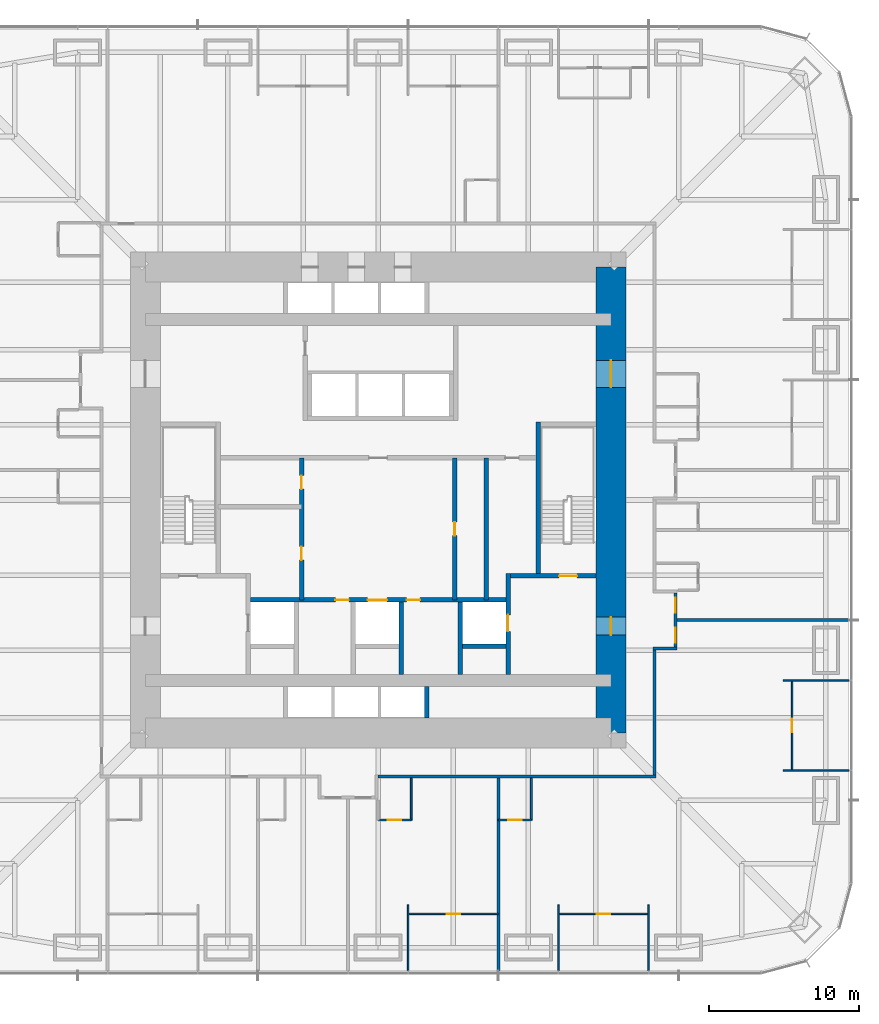
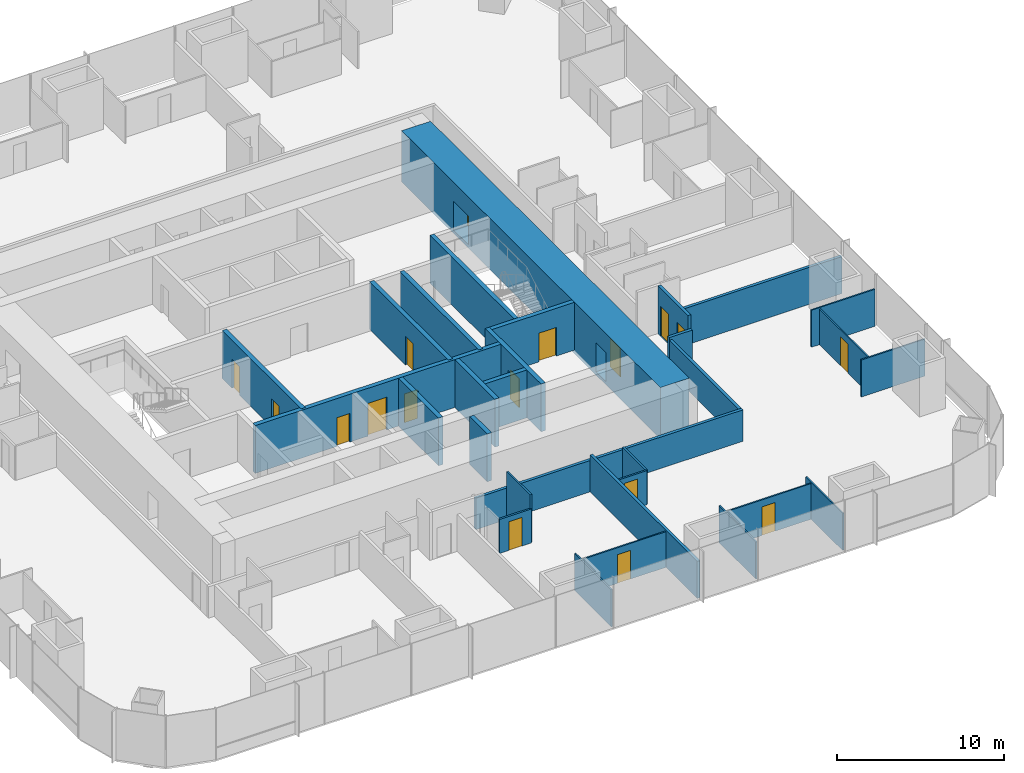
# One storey, part 13 of 17: 30 walls, 17 doors, 17 openings.
"""IFC4 building model written with IfcOpenShell, lengths in metres."""

from ifc_helpers import new_model, si_unit, direction, frame, frame_2d, origin, place, context, subcontext, project, spatial, rectangle, extrude, material, layer, layer_set, type_object, element, fill, save


model = new_model("IFC4")

# Units and contexts
model_context = context("Model", 3, precision=1e-05, world=origin(), true_north=direction((0.0, 1.0)))
body_context = subcontext(model_context, "Body", "Model", "MODEL_VIEW")
ifc_project = project(units=[si_unit("LENGTHUNIT", "METRE"), si_unit("AREAUNIT", "SQUARE_METRE"), si_unit("VOLUMEUNIT", "CUBIC_METRE"), si_unit("PLANEANGLEUNIT", "RADIAN"), si_unit("MASSUNIT", "GRAM", prefix="KILO")], contexts=[model_context])

# Site, building, storey
site_placement = place(None, origin())
site = spatial("IfcSite", under=ifc_project, at=site_placement, CompositionType="ELEMENT")
building_placement = place(site_placement, origin())
building = spatial("IfcBuilding", under=site, at=building_placement, Name="Khuree Lantern Residences", CompositionType="ELEMENT")
storey_placement = place(building_placement, frame((0.0, 0.0, 58.5)))
storey = spatial("IfcBuildingStorey", under=building, at=storey_placement, Name="L14", CompositionType="ELEMENT", Elevation=58.5)

# Wall, opening, door
ifc_material_1 = material(Name="Moisture-resistant gypsum board on steel studs", Category="steel")
ifc_layer_1 = layer(ifc_material_1, 0.125)
ifc_layer_set_1 = layer_set([ifc_layer_1], Name="BATHROOM WALL BTW125")
wall_type_1 = type_object("IfcWallType", Name="BATHROOM WALL BTW125", PredefinedType="PARTITIONING", material=ifc_layer_set_1)
wall_1_placement = place(storey_placement, frame((0.0, -21.300048828125, 0.0), z_axis=(0.0, 0.0, 1.0), x_axis=(1.0, 0.0, 0.0)))
wall_1 = element("IfcWall", 1, at=wall_1_placement, inside=storey, type_object=wall_type_1, Name="L14 BATHROOM WALL 10", PredefinedType="PARTITIONING", context=body_context, shape_type="SweptSolid", body=[
    extrude(rectangle(XDim=2.199951171875, YDim=0.125, at=frame_2d((1.10009765625, 0.0))), origin(), (0.0, 0.0, 1.0), 2.491943359375),
])
opening_1_placement = place(wall_1_placement, frame((0.64990234375, 0.0, 0.0)))
opening_1 = element("IfcOpeningElement", 2, at=opening_1_placement, cuts=wall_1, Name="Opening 14-051", PredefinedType="OPENING", context=body_context, shape_type="SweptSolid", body=[
    extrude(rectangle(XDim=0.89990234375, YDim=2.10009765625, at=frame_2d((0.449951171875, 1.050048828125))), frame((0.0, 0.072509765625, 0.0), z_axis=(0.0, -1.0, 0.0), x_axis=(1.0, 0.0, 0.0)), (0.0, 0.0, 1.0), 0.14501953125),
])
ifc_material_2 = material(Name="Timber door leaf in hardwood frame", Category="wood")
door_type_1 = type_object("IfcDoorType", Name="BATHROOM DOOR 900X2100", OperationType="SINGLE_SWING_LEFT", PredefinedType="DOOR", material=ifc_material_2)
door_1_placement = place(opening_1_placement, origin())
door_1 = element("IfcDoor", 3, at=door_1_placement, inside=storey, type_object=door_type_1, Name="Bathroom door 14-051", OperationType="SINGLE_SWING_LEFT", OverallHeight=2.10009765625, OverallWidth=0.89990234375, PredefinedType="DOOR", context=body_context, shape_type="SweptSolid", body=[
    extrude(rectangle(XDim=0.89990234375, YDim=2.10009765625, at=frame_2d((0.449951171875, 1.050048828125))), frame((0.0, 0.02490234375, 0.0), z_axis=(0.0, -1.0, 0.0), x_axis=(1.0, 0.0, 0.0)), (0.0, 0.0, 1.0), 0.050048828125),
])
fill(opening_1, door_1)

# Wall
wall_2_placement = place(storey_placement, frame((2.199951171875, -18.5, 0.0), z_axis=(0.0, 0.0, 1.0), x_axis=(0.0, -1.0, 0.0)))
element("IfcWall", 4, at=wall_2_placement, inside=storey, type_object=wall_type_1, Name="L14 BATHROOM WALL 10", PredefinedType="PARTITIONING", context=body_context, shape_type="SweptSolid", body=[
    extrude(rectangle(XDim=2.800048828125, YDim=0.125, at=frame_2d((1.39990234375, 0.0))), origin(), (0.0, 0.0, 1.0), 3.5),
])

# Wall, opening, door
wall_3_placement = place(storey_placement, frame((8.0, -21.300048828125, 0.0), z_axis=(0.0, 0.0, 1.0), x_axis=(1.0, 0.0, 0.0)))
wall_3 = element("IfcWall", 5, at=wall_3_placement, inside=storey, type_object=wall_type_1, Name="L14 BATHROOM WALL 11", PredefinedType="PARTITIONING", context=body_context, shape_type="SweptSolid", body=[
    extrude(rectangle(XDim=2.199951171875, YDim=0.125, at=frame_2d((1.10009765625, 0.0))), origin(), (0.0, 0.0, 1.0), 2.491943359375),
])
opening_2_placement = place(wall_3_placement, frame((0.64990234375, 0.0, 0.0)))
opening_2 = element("IfcOpeningElement", 6, at=opening_2_placement, cuts=wall_3, Name="Opening 14-055", PredefinedType="OPENING", context=body_context, shape_type="SweptSolid", body=[
    extrude(rectangle(XDim=0.89990234375, YDim=2.10009765625, at=frame_2d((0.449951171875, 1.050048828125))), frame((0.0, 0.072509765625, 0.0), z_axis=(0.0, -1.0, 0.0), x_axis=(1.0, 0.0, 0.0)), (0.0, 0.0, 1.0), 0.14501953125),
])
door_2_placement = place(opening_2_placement, origin())
door_2 = element("IfcDoor", 7, at=door_2_placement, inside=storey, type_object=door_type_1, Name="Bathroom door 14-055", OperationType="SINGLE_SWING_LEFT", OverallHeight=2.10009765625, OverallWidth=0.89990234375, PredefinedType="DOOR", context=body_context, shape_type="SweptSolid", body=[
    extrude(rectangle(XDim=0.89990234375, YDim=2.10009765625, at=frame_2d((0.449951171875, 1.050048828125))), frame((0.0, 0.02490234375, 0.0), z_axis=(0.0, -1.0, 0.0), x_axis=(1.0, 0.0, 0.0)), (0.0, 0.0, 1.0), 0.050048828125),
])
fill(opening_2, door_2)

# Wall
wall_4_placement = place(storey_placement, frame((10.199951171875, -18.5, 0.0), z_axis=(0.0, 0.0, 1.0), x_axis=(0.0, -1.0, 0.0)))
element("IfcWall", 8, at=wall_4_placement, inside=storey, type_object=wall_type_1, Name="L14 BATHROOM WALL 11", PredefinedType="PARTITIONING", context=body_context, shape_type="SweptSolid", body=[
    extrude(rectangle(XDim=2.800048828125, YDim=0.125, at=frame_2d((1.39990234375, 0.0))), origin(), (0.0, 0.0, 1.0), 2.491943359375),
])

# Wall, opening, door
ifc_material_3 = material(Name="Dense concrete blockwork", Category="masonry")
ifc_layer_2 = layer(ifc_material_3, 0.300048828125)
ifc_layer_set_2 = layer_set([ifc_layer_2], Name="CORE PARTITION WALL CPW300 EI 120")
wall_type_2 = type_object("IfcWallType", Name="CORE PARTITION WALL CPW300 EI 120", PredefinedType="PARTITIONING", material=ifc_layer_set_2)
wall_5_placement = place(storey_placement, frame((8.64990234375, -11.60009765625, 0.0), z_axis=(0.0, 0.0, 1.0), x_axis=(0.0, 1.0, 0.0)))
wall_5 = element("IfcWall", 9, at=wall_5_placement, inside=storey, type_object=wall_type_2, Name="L14 CORE WALL FL2E", PredefinedType="PARTITIONING", context=body_context, shape_type="SweptSolid", body=[
    extrude(rectangle(XDim=6.7001953125, YDim=0.300048828125, at=frame_2d((3.35009765625, 0.0))), origin(), (0.0, 0.0, 1.0), 3.5),
])
opening_3_placement = place(wall_5_placement, frame((2.85009765625, 0.0, 0.0)))
opening_3 = element("IfcOpeningElement", 10, at=opening_3_placement, cuts=wall_5, Name="Opening 14-008", PredefinedType="OPENING", context=body_context, shape_type="SweptSolid", body=[
    extrude(rectangle(XDim=1.10009765625, YDim=2.10009765625, at=frame_2d((0.550048828125, 1.050048828125))), frame((0.0, 0.16015625, 0.0), z_axis=(0.0, -1.0, 0.0), x_axis=(1.0, 0.0, 0.0)), (0.0, 0.0, 1.0), 0.320068359375),
])
ifc_material_4 = material(Name="Stainless steel lift landing door", Category="steel")
door_type_2 = type_object("IfcDoorType", Name="LIFT LANDING DOOR 1100X2100 E 120", OperationType="DOUBLE_DOOR_SLIDING", PredefinedType="DOOR", material=ifc_material_4)
door_3_placement = place(opening_3_placement, origin())
door_3 = element("IfcDoor", 11, at=door_3_placement, inside=storey, type_object=door_type_2, Name="Landing door FL2 14-008", OperationType="DOUBLE_DOOR_SLIDING", OverallHeight=2.10009765625, OverallWidth=1.10009765625, PredefinedType="DOOR", context=body_context, shape_type="SweptSolid", body=[
    extrude(rectangle(XDim=1.10009765625, YDim=2.10009765625, at=frame_2d((0.550048828125, 1.050048828125))), frame((0.0, 0.02490234375, 0.0), z_axis=(0.0, -1.0, 0.0), x_axis=(1.0, 0.0, 0.0)), (0.0, 0.0, 1.0), 0.050048828125),
])
fill(opening_3, door_3)

# Wall, openings, doors
wall_6_placement = place(storey_placement, frame((-8.5, -6.64990234375, 0.0), z_axis=(0.0, 0.0, 1.0), x_axis=(1.0, 0.0, 0.0)))
wall_6 = element("IfcWall", 12, at=wall_6_placement, inside=storey, type_object=wall_type_2, Name="L14 CORE WALL FLROW", PredefinedType="PARTITIONING", context=body_context, shape_type="SweptSolid", body=[
    extrude(rectangle(XDim=17.0, YDim=0.300048828125, at=frame_2d((8.5, 0.0))), origin(), (0.0, 0.0, 1.0), 3.5),
])
opening_4_placement = place(wall_6_placement, frame((7.800048828125, 0.0, 0.0)))
opening_4 = element("IfcOpeningElement", 13, at=opening_4_placement, cuts=wall_6, Name="Opening 14-012", PredefinedType="OPENING", context=body_context, shape_type="SweptSolid", body=[
    extrude(rectangle(XDim=1.300048828125, YDim=2.39990234375, at=frame_2d((0.64990234375, 1.199951171875))), frame((0.0, 0.16015625, 0.0), z_axis=(0.0, -1.0, 0.0), x_axis=(1.0, 0.0, 0.0)), (0.0, 0.0, 1.0), 0.320068359375),
])
opening_5_placement = place(wall_6_placement, frame((5.64990234375, 0.0, 0.0)))
opening_5 = element("IfcOpeningElement", 14, at=opening_5_placement, cuts=wall_6, Name="Opening 14-014", PredefinedType="OPENING", context=body_context, shape_type="SweptSolid", body=[
    extrude(rectangle(XDim=0.89990234375, YDim=2.10009765625, at=frame_2d((0.449951171875, 1.050048828125))), frame((0.0, 0.16015625, 0.0), z_axis=(0.0, -1.0, 0.0), x_axis=(1.0, 0.0, 0.0)), (0.0, 0.0, 1.0), 0.320068359375),
])
opening_6_placement = place(wall_6_placement, frame((10.39990234375, 0.0, 0.0)))
opening_6 = element("IfcOpeningElement", 15, at=opening_6_placement, cuts=wall_6, Name="Opening 14-015", PredefinedType="OPENING", context=body_context, shape_type="SweptSolid", body=[
    extrude(rectangle(XDim=0.89990234375, YDim=2.10009765625, at=frame_2d((0.449951171875, 1.050048828125))), frame((0.0, 0.16015625, 0.0), z_axis=(0.0, -1.0, 0.0), x_axis=(1.0, 0.0, 0.0)), (0.0, 0.0, 1.0), 0.320068359375),
])
ifc_material_5 = material(Name="Steel door leaf in steel frame", Category="steel")
door_type_3 = type_object("IfcDoorType", Name="DOOR 900X2100 EI 60", OperationType="SINGLE_SWING_LEFT", PredefinedType="DOOR", material=ifc_material_5)
door_4_placement = place(opening_5_placement, origin())
door_4 = element("IfcDoor", 16, at=door_4_placement, inside=storey, type_object=door_type_3, Name="Refuse chute room door 14-014", OperationType="SINGLE_SWING_LEFT", OverallHeight=2.10009765625, OverallWidth=0.89990234375, PredefinedType="DOOR", context=body_context, shape_type="SweptSolid", body=[
    extrude(rectangle(XDim=0.89990234375, YDim=2.10009765625, at=frame_2d((0.449951171875, 1.050048828125))), frame((0.0, 0.02490234375, 0.0), z_axis=(0.0, -1.0, 0.0), x_axis=(1.0, 0.0, 0.0)), (0.0, 0.0, 1.0), 0.050048828125),
])
fill(opening_5, door_4)
door_type_4 = type_object("IfcDoorType", Name="DOOR 900X2100 EI 60 RIGHT HAND", OperationType="SINGLE_SWING_RIGHT", PredefinedType="DOOR", material=ifc_material_5)
door_5_placement = place(opening_6_placement, origin())
door_5 = element("IfcDoor", 17, at=door_5_placement, inside=storey, type_object=door_type_4, Name="Electrical and plumbing riser door 14-015", OperationType="SINGLE_SWING_RIGHT", OverallHeight=2.10009765625, OverallWidth=0.89990234375, PredefinedType="DOOR", context=body_context, shape_type="SweptSolid", body=[
    extrude(rectangle(XDim=0.89990234375, YDim=2.10009765625, at=frame_2d((0.449951171875, 1.050048828125))), frame((0.0, 0.02490234375, 0.0), z_axis=(0.0, -1.0, 0.0), x_axis=(1.0, 0.0, 0.0)), (0.0, 0.0, 1.0), 0.050048828125),
])
fill(opening_6, door_5)
door_type_5 = type_object("IfcDoorType", Name="LIFT LANDING DOOR 1300X2400 E 60", OperationType="DOUBLE_DOOR_SLIDING", PredefinedType="DOOR", material=ifc_material_4)
door_6_placement = place(opening_4_placement, origin())
door_6 = element("IfcDoor", 18, at=door_6_placement, inside=storey, type_object=door_type_5, Name="Landing door SL1 14-012", OperationType="DOUBLE_DOOR_SLIDING", OverallHeight=2.39990234375, OverallWidth=1.300048828125, PredefinedType="DOOR", context=body_context, shape_type="SweptSolid", body=[
    extrude(rectangle(XDim=1.300048828125, YDim=2.39990234375, at=frame_2d((0.64990234375, 1.199951171875))), frame((0.0, 0.02490234375, 0.0), z_axis=(0.0, -1.0, 0.0), x_axis=(1.0, 0.0, 0.0)), (0.0, 0.0, 1.0), 0.050048828125),
])
fill(opening_4, door_6)

# Walls
for number, where, z_axis, x_axis, name in (
    (19, (1.550048828125, -11.60009765625, 0.0), (0.0, 0.0, 1.0), (0.0, 1.0, 0.0), "L14 CORE WALL SL1E"),
    (20, (5.449951171875, -11.60009765625, 0.0), (0.0, 0.0, 1.0), (0.0, 1.0, 0.0), "L14 CORE WALL FL2W"),
):
    element("IfcWall", number, at=place(storey_placement, frame(where, z_axis=z_axis, x_axis=x_axis)), inside=storey, type_object=wall_type_2, Name=name, PredefinedType="PARTITIONING", context=body_context, shape_type="SweptSolid", body=[
        extrude(rectangle(XDim=4.800048828125, YDim=0.300048828125, at=frame_2d((2.39990234375, 0.0))), origin(), (0.0, 0.0, 1.0), 3.5),
    ])
wall_7_placement = place(storey_placement, frame((5.60009765625, -9.75, 0.0), z_axis=(0.0, 0.0, 1.0), x_axis=(1.0, 0.0, 0.0)))
element("IfcWall", 21, at=wall_7_placement, inside=storey, type_object=wall_type_2, Name="L14 CORE WALL FL2S", PredefinedType="PARTITIONING", context=body_context, shape_type="SweptSolid", body=[
    extrude(rectangle(XDim=2.89990234375, YDim=0.300048828125, at=frame_2d((1.449951171875, 0.0))), origin(), (0.0, 0.0, 1.0), 3.5),
])
wall_8_placement = place(storey_placement, frame((3.25, -14.5, 0.0), z_axis=(0.0, 0.0, 1.0), x_axis=(0.0, 1.0, 0.0)))
element("IfcWall", 22, at=wall_8_placement, inside=storey, type_object=wall_type_2, Name="L14 CORE WALL PME", PredefinedType="PARTITIONING", context=body_context, shape_type="SweptSolid", body=[
    extrude(rectangle(XDim=2.10009765625, YDim=0.300048828125, at=frame_2d((1.050048828125, 0.0))), origin(), (0.0, 0.0, 1.0), 3.5),
])

# Wall, openings, doors
wall_9_placement = place(storey_placement, frame((-5.10009765625, -6.64990234375, 0.0), z_axis=(0.0, 0.0, 1.0), x_axis=(0.0, 1.0, 0.0)))
wall_9 = element("IfcWall", 23, at=wall_9_placement, inside=storey, type_object=wall_type_2, Name="L14 CORE WALL SVW", PredefinedType="PARTITIONING", context=body_context, shape_type="SweptSolid", body=[
    extrude(rectangle(XDim=9.449951171875, YDim=0.300048828125, at=frame_2d((4.72509765625, 0.0))), origin(), (0.0, 0.0, 1.0), 3.5),
])
opening_7_placement = place(wall_9_placement, frame((2.64794921875, 0.0, 0.0)))
opening_7 = element("IfcOpeningElement", 24, at=opening_7_placement, cuts=wall_9, Name="Opening 14-016", PredefinedType="OPENING", context=body_context, shape_type="SweptSolid", body=[
    extrude(rectangle(XDim=0.89990234375, YDim=2.10009765625, at=frame_2d((0.449951171875, 1.050048828125))), frame((0.0, 0.16015625, 0.0), z_axis=(0.0, -1.0, 0.0), x_axis=(1.0, 0.0, 0.0)), (0.0, 0.0, 1.0), 0.320068359375),
])
opening_8_placement = place(wall_9_placement, frame((7.373046875, 0.0, 0.0)))
opening_8 = element("IfcOpeningElement", 25, at=opening_8_placement, cuts=wall_9, Name="Opening 14-017", PredefinedType="OPENING", context=body_context, shape_type="SweptSolid", body=[
    extrude(rectangle(XDim=0.89990234375, YDim=2.10009765625, at=frame_2d((0.449951171875, 1.050048828125))), frame((0.0, 0.16015625, 0.0), z_axis=(0.0, -1.0, 0.0), x_axis=(1.0, 0.0, 0.0)), (0.0, 0.0, 1.0), 0.320068359375),
])
door_type_6 = type_object("IfcDoorType", Name="DOOR 900X2100", OperationType="SINGLE_SWING_LEFT", PredefinedType="DOOR", material=ifc_material_2)
door_7_placement = place(opening_7_placement, origin())
door_7 = element("IfcDoor", 26, at=door_7_placement, inside=storey, type_object=door_type_6, Name="Residents' store door 14-016", OperationType="SINGLE_SWING_LEFT", OverallHeight=2.10009765625, OverallWidth=0.89990234375, PredefinedType="DOOR", context=body_context, shape_type="SweptSolid", body=[
    extrude(rectangle(XDim=0.89990234375, YDim=2.10009765625, at=frame_2d((0.449951171875, 1.050048828125))), frame((0.0, 0.02490234375, 0.0), z_axis=(0.0, -1.0, 0.0), x_axis=(1.0, 0.0, 0.0)), (0.0, 0.0, 1.0), 0.050048828125),
])
fill(opening_7, door_7)
door_8_placement = place(opening_8_placement, origin())
door_8 = element("IfcDoor", 27, at=door_8_placement, inside=storey, type_object=door_type_6, Name="Bulky waste store door 14-017", OperationType="SINGLE_SWING_LEFT", OverallHeight=2.10009765625, OverallWidth=0.89990234375, PredefinedType="DOOR", context=body_context, shape_type="SweptSolid", body=[
    extrude(rectangle(XDim=0.89990234375, YDim=2.10009765625, at=frame_2d((0.449951171875, 1.050048828125))), frame((0.0, 0.02490234375, 0.0), z_axis=(0.0, -1.0, 0.0), x_axis=(1.0, 0.0, 0.0)), (0.0, 0.0, 1.0), 0.050048828125),
])
fill(opening_8, door_8)

# Wall, opening, door
wall_10_placement = place(storey_placement, frame((5.10009765625, -6.64990234375, 0.0), z_axis=(0.0, 0.0, 1.0), x_axis=(0.0, 1.0, 0.0)))
wall_10 = element("IfcWall", 28, at=wall_10_placement, inside=storey, type_object=wall_type_2, Name="L14 CORE WALL SVE", PredefinedType="PARTITIONING", context=body_context, shape_type="SweptSolid", body=[
    extrude(rectangle(XDim=9.449951171875, YDim=0.300048828125, at=frame_2d((4.72509765625, 0.0))), origin(), (0.0, 0.0, 1.0), 3.5),
])
opening_9_placement = place(wall_10_placement, frame((4.27490234375, 0.0, 0.0)))
opening_9 = element("IfcOpeningElement", 29, at=opening_9_placement, cuts=wall_10, Name="Opening 14-018", PredefinedType="OPENING", context=body_context, shape_type="SweptSolid", body=[
    extrude(rectangle(XDim=0.89990234375, YDim=2.10009765625, at=frame_2d((0.449951171875, 1.050048828125))), frame((0.0, 0.16015625, 0.0), z_axis=(0.0, -1.0, 0.0), x_axis=(1.0, 0.0, 0.0)), (0.0, 0.0, 1.0), 0.320068359375),
])
door_9_placement = place(opening_9_placement, origin())
door_9 = element("IfcDoor", 30, at=door_9_placement, inside=storey, type_object=door_type_6, Name="Parcel room door 14-018", OperationType="SINGLE_SWING_LEFT", OverallHeight=2.10009765625, OverallWidth=0.89990234375, PredefinedType="DOOR", context=body_context, shape_type="SweptSolid", body=[
    extrude(rectangle(XDim=0.89990234375, YDim=2.10009765625, at=frame_2d((0.449951171875, 1.050048828125))), frame((0.0, 0.02490234375, 0.0), z_axis=(0.0, -1.0, 0.0), x_axis=(1.0, 0.0, 0.0)), (0.0, 0.0, 1.0), 0.050048828125),
])
fill(opening_9, door_9)

# Walls
wall_11_placement = place(storey_placement, frame((7.193115234375, -6.64990234375, 0.0), z_axis=(0.0, 0.0, 1.0), x_axis=(0.0, 1.0, 0.0)))
element("IfcWall", 31, at=wall_11_placement, inside=storey, type_object=wall_type_2, Name="L14 CORE WALL EV", PredefinedType="PARTITIONING", context=body_context, shape_type="SweptSolid", body=[
    extrude(rectangle(XDim=9.449951171875, YDim=0.300048828125, at=frame_2d((4.72509765625, 0.0))), origin(), (0.0, 0.0, 1.0), 3.5),
])
ifc_material_6 = material(Name="Gypsum board on steel studs", Category="steel")
ifc_layer_3 = layer(ifc_material_6, 0.199951171875)
ifc_layer_set_3 = layer_set([ifc_layer_3], Name="CORRIDOR WALL CRW200 EI 60")
wall_type_3 = type_object("IfcWallType", Name="CORRIDOR WALL CRW200 EI 60", PredefinedType="PARTITIONING", material=ifc_layer_set_3)
wall_12_placement = place(storey_placement, frame((18.39990234375, -18.300048828125, 0.0), z_axis=(0.0, 0.0, 1.0), x_axis=(0.0, 1.0, 0.0)))
element("IfcWall", 32, at=wall_12_placement, inside=storey, type_object=wall_type_3, Name="L14 CORRIDOR WALL EAST 1", PredefinedType="PARTITIONING", context=body_context, shape_type="SweptSolid", body=[
    extrude(rectangle(XDim=8.300048828125, YDim=0.199951171875, at=frame_2d((4.14990234375, 0.0))), origin(), (0.0, 0.0, 1.0), 2.300048828125),
])
wall_13_placement = place(storey_placement, frame((18.300048828125, -9.89990234375, 0.0), z_axis=(0.0, 0.0, 1.0), x_axis=(1.0, 0.0, 0.0)))
element("IfcWall", 33, at=wall_13_placement, inside=storey, type_object=wall_type_3, Name="L14 CORRIDOR ALCOVE WALL EAST", PredefinedType="PARTITIONING", context=body_context, shape_type="SweptSolid", body=[
    extrude(rectangle(XDim=1.599853515625, YDim=0.199951171875, at=frame_2d((0.7998046875, 0.0))), origin(), (0.0, 0.0, 1.0), 2.491943359375),
])

# Wall, openings, doors
wall_14_placement = place(storey_placement, frame((19.800048828125, -9.800048828125, 0.0), z_axis=(0.0, 0.0, 1.0), x_axis=(0.0, 1.0, 0.0)))
wall_14 = element("IfcWall", 34, at=wall_14_placement, inside=storey, type_object=wall_type_3, Name="L14 CORRIDOR ALCOVE WALL EAST", PredefinedType="PARTITIONING", context=body_context, shape_type="SweptSolid", body=[
    extrude(rectangle(XDim=3.60009765625, YDim=0.199951171875, at=frame_2d((1.800048828125, 0.0))), origin(), (0.0, 0.0, 1.0), 3.5),
])
opening_10_placement = place(wall_14_placement, frame((2.300048828125, 0.0, 0.0)))
opening_10 = element("IfcOpeningElement", 35, at=opening_10_placement, cuts=wall_14, Name="Opening 14-022", PredefinedType="OPENING", context=body_context, shape_type="SweptSolid", body=[
    extrude(rectangle(XDim=1.0, YDim=2.199951171875, at=frame_2d((0.5, 1.10009765625))), frame((0.0, 0.10986328125, 0.0), z_axis=(0.0, -1.0, 0.0), x_axis=(1.0, 0.0, 0.0)), (0.0, 0.0, 1.0), 0.219970703125),
])
opening_11_placement = place(wall_14_placement, frame((0.300048828125, 0.0, 0.0)))
opening_11 = element("IfcOpeningElement", 36, at=opening_11_placement, cuts=wall_14, Name="Opening 14-056", PredefinedType="OPENING", context=body_context, shape_type="SweptSolid", body=[
    extrude(rectangle(XDim=1.0, YDim=2.199951171875, at=frame_2d((0.5, 1.10009765625))), frame((0.0, 0.10986328125, 0.0), z_axis=(0.0, -1.0, 0.0), x_axis=(1.0, 0.0, 0.0)), (0.0, 0.0, 1.0), 0.219970703125),
])
door_type_7 = type_object("IfcDoorType", Name="APARTMENT ENTRANCE DOOR 1000X2200 EI 30S", OperationType="SINGLE_SWING_LEFT", PredefinedType="DOOR", material=ifc_material_2)
door_10_placement = place(opening_11_placement, origin())
door_10 = element("IfcDoor", 37, at=door_10_placement, inside=storey, type_object=door_type_7, Name="Apartment 11 entrance door 14-056", OperationType="SINGLE_SWING_LEFT", OverallHeight=2.199951171875, OverallWidth=1.0, PredefinedType="DOOR", context=body_context, shape_type="SweptSolid", body=[
    extrude(rectangle(XDim=1.0, YDim=2.199951171875, at=frame_2d((0.5, 1.10009765625))), frame((0.0, 0.02490234375, 0.0), z_axis=(0.0, -1.0, 0.0), x_axis=(1.0, 0.0, 0.0)), (0.0, 0.0, 1.0), 0.050048828125),
])
fill(opening_11, door_10)
door_type_8 = type_object("IfcDoorType", Name="APARTMENT ENTRANCE DOOR 1000X2200 EI 30S RIGHT HAND", OperationType="SINGLE_SWING_RIGHT", PredefinedType="DOOR", material=ifc_material_2)
door_11_placement = place(opening_10_placement, origin())
door_11 = element("IfcDoor", 38, at=door_11_placement, inside=storey, type_object=door_type_8, Name="Apartment 01 entrance door 14-022", OperationType="SINGLE_SWING_RIGHT", OverallHeight=2.199951171875, OverallWidth=1.0, PredefinedType="DOOR", context=body_context, shape_type="SweptSolid", body=[
    extrude(rectangle(XDim=1.0, YDim=2.199951171875, at=frame_2d((0.5, 1.10009765625))), frame((0.0, 0.02490234375, 0.0), z_axis=(0.0, -1.0, 0.0), x_axis=(1.0, 0.0, 0.0)), (0.0, 0.0, 1.0), 0.050048828125),
])
fill(opening_10, door_11)

# Wall
wall_15_placement = place(storey_placement, frame((18.5, -18.39990234375, 0.0), z_axis=(0.0, 0.0, 1.0), x_axis=(-1.0, 0.0, 0.0)))
element("IfcWall", 39, at=wall_15_placement, inside=storey, type_object=wall_type_3, Name="L14 CORRIDOR WALL SOUTH 1", PredefinedType="PARTITIONING", context=body_context, shape_type="SweptSolid", body=[
    extrude(rectangle(XDim=18.5, YDim=0.199951171875, at=frame_2d((9.25, 0.0))), origin(), (0.0, 0.0, 1.0), 2.300048828125),
])

# Wall, openings, doors
ifc_material_7 = material(Name="Concrete C70/85", Category="concrete")
ifc_layer_4 = layer(ifc_material_7, 2.0)
ifc_layer_set_4 = layer_set([ifc_layer_4], Name="CW2000-C70 CORE WALL C70 2000")
wall_type_4 = type_object("IfcWallType", Name="CW2000-C70 CORE WALL C70 2000", PredefinedType="SHEAR", material=ifc_layer_set_4)
wall_16_placement = place(storey_placement, frame((15.5, -15.5, -0.25), z_axis=(0.0, 0.0, 1.0), x_axis=(0.0, 1.0, 0.0)))
wall_16 = element("IfcWall", 40, at=wall_16_placement, inside=storey, type_object=wall_type_4, Name="Core wall E", PredefinedType="SHEAR", context=body_context, shape_type="SweptSolid", body=[
    extrude(rectangle(XDim=31.0, YDim=2.0, at=frame_2d((15.5, 0.0))), origin(), (0.0, 0.0, 1.0), 3.75),
])
opening_12_placement = place(wall_16_placement, frame((6.5, 0.0, 0.25)))
opening_12 = element("IfcOpeningElement", 41, at=opening_12_placement, cuts=wall_16, Name="Opening 14-005", PredefinedType="OPENING", context=body_context, shape_type="SweptSolid", body=[
    extrude(rectangle(XDim=1.199951171875, YDim=2.10009765625, at=frame_2d((0.60009765625, 1.050048828125))), frame((0.0, 1.010009765625, 0.0), z_axis=(0.0, -1.0, 0.0), x_axis=(1.0, 0.0, 0.0)), (0.0, 0.0, 1.0), 2.02001953125),
])
opening_13_placement = place(wall_16_placement, frame((23.0, 0.0, 0.25)))
opening_13 = element("IfcOpeningElement", 42, at=opening_13_placement, cuts=wall_16, Name="Opening 14-006", PredefinedType="OPENING", context=body_context, shape_type="SweptSolid", body=[
    extrude(rectangle(XDim=1.800048828125, YDim=2.10009765625, at=frame_2d((0.89990234375, 1.050048828125))), frame((0.0, 1.010009765625, 0.0), z_axis=(0.0, -1.0, 0.0), x_axis=(1.0, 0.0, 0.0)), (0.0, 0.0, 1.0), 2.02001953125),
])
door_type_9 = type_object("IfcDoorType", Name="LOBBY DOOR 1200X2100 EI 120", OperationType="SINGLE_SWING_LEFT", PredefinedType="DOOR", material=ifc_material_5)
door_12_placement = place(opening_12_placement, origin())
door_12 = element("IfcDoor", 43, at=door_12_placement, inside=storey, type_object=door_type_9, Name="Firefighting lobby door 14-005", OperationType="SINGLE_SWING_LEFT", OverallHeight=2.10009765625, OverallWidth=1.199951171875, PredefinedType="DOOR", context=body_context, shape_type="SweptSolid", body=[
    extrude(rectangle(XDim=1.199951171875, YDim=2.10009765625, at=frame_2d((0.60009765625, 1.050048828125))), frame((0.0, 0.02490234375, 0.0), z_axis=(0.0, -1.0, 0.0), x_axis=(1.0, 0.0, 0.0)), (0.0, 0.0, 1.0), 0.050048828125),
])
fill(opening_12, door_12)
door_type_10 = type_object("IfcDoorType", Name="LOBBY DOUBLE DOOR 1800X2100 EI 60", OperationType="DOUBLE_DOOR_SINGLE_SWING", PredefinedType="DOOR", material=ifc_material_5)
door_13_placement = place(opening_13_placement, origin())
door_13 = element("IfcDoor", 44, at=door_13_placement, inside=storey, type_object=door_type_10, Name="Lift lobby door 14-006", OperationType="DOUBLE_DOOR_SINGLE_SWING", OverallHeight=2.10009765625, OverallWidth=1.800048828125, PredefinedType="DOOR", context=body_context, shape_type="SweptSolid", body=[
    extrude(rectangle(XDim=1.800048828125, YDim=2.10009765625, at=frame_2d((0.89990234375, 1.050048828125))), frame((0.0, 0.02490234375, 0.0), z_axis=(0.0, -1.0, 0.0), x_axis=(1.0, 0.0, 0.0)), (0.0, 0.0, 1.0), 0.050048828125),
])
fill(opening_13, door_13)

# Walls
ifc_layer_5 = layer(ifc_material_6, 0.199951171875)
ifc_layer_set_5 = layer_set([ifc_layer_5], Name="DEMISING WALL DMW200 EI 90")
wall_type_5 = type_object("IfcWallType", Name="DEMISING WALL DMW200 EI 90", PredefinedType="PARTITIONING", material=ifc_layer_set_5)
wall_17_placement = place(storey_placement, frame((19.89990234375, -8.0, 0.0), z_axis=(0.0, 0.0, 1.0), x_axis=(1.0, 0.0, 0.0)))
element("IfcWall", 45, at=wall_17_placement, inside=storey, type_object=wall_type_5, Name="L14 DEMISING WALL 01", PredefinedType="PARTITIONING", context=body_context, shape_type="SweptSolid", body=[
    extrude(rectangle(XDim=11.4501953125, YDim=0.199951171875, at=frame_2d((5.72509765625, 0.0))), origin(), (0.0, 0.0, 1.0), 2.7099609375),
])
wall_18_placement = place(storey_placement, frame((8.0, -18.5, 0.0), z_axis=(0.0, 0.0, 1.0), x_axis=(0.0, -1.0, 0.0)))
element("IfcWall", 46, at=wall_18_placement, inside=storey, type_object=wall_type_5, Name="L14 DEMISING WALL 11", PredefinedType="PARTITIONING", context=body_context, shape_type="SweptSolid", body=[
    extrude(rectangle(XDim=12.85009765625, YDim=0.199951171875, at=frame_2d((6.425048828125, 0.0))), origin(), (0.0, 0.0, 1.0), 2.7099609375),
])
ifc_layer_6 = layer(ifc_material_6, 0.10009765625)
ifc_layer_set_6 = layer_set([ifc_layer_6], Name="PARTITION PT100")
wall_type_6 = type_object("IfcWallType", Name="PARTITION PT100", PredefinedType="PARTITIONING", material=ifc_layer_set_6)
for number, where, z_axis, x_axis, name in (
    (47, (2.0, -26.949951171875, 0.0), (0.0, 0.0, 1.0), (0.0, -1.0, 0.0), "L14 PARTITION 10"),
    (48, (12.0, -26.949951171875, 0.0), (0.0, 0.0, 1.0), (0.0, -1.0, 0.0), "L14 PARTITION 11"),
    (49, (18.0, -26.949951171875, 0.0), (0.0, 0.0, 1.0), (0.0, -1.0, 0.0), "L14 PARTITION 11"),
    (50, (26.949951171875, -18.0, 0.0), (0.0, 0.0, 1.0), (1.0, 0.0, 0.0), "L14 PARTITION 11"),
    (51, (26.949951171875, -12.0, 0.0), (0.0, 0.0, 1.0), (1.0, 0.0, 0.0), "L14 PARTITION 11"),
):
    element("IfcWall", number, at=place(storey_placement, frame(where, z_axis=z_axis, x_axis=x_axis)), inside=storey, type_object=wall_type_6, Name=name, PredefinedType="PARTITIONING", context=body_context, shape_type="SweptSolid", body=[
        extrude(rectangle(XDim=4.400146484375, YDim=0.10009765625, at=frame_2d((2.2001953125, 0.0))), origin(), (0.0, 0.0, 1.0), 2.7099609375),
    ])

# Wall, opening, door
wall_19_placement = place(storey_placement, frame((2.0, -27.550048828125, 0.0), z_axis=(0.0, 0.0, 1.0), x_axis=(1.0, 0.0, 0.0)))
wall_19 = element("IfcWall", 52, at=wall_19_placement, inside=storey, type_object=wall_type_6, Name="L14 PARTITION 10", PredefinedType="PARTITIONING", context=body_context, shape_type="SweptSolid", body=[
    extrude(rectangle(XDim=6.0, YDim=0.10009765625, at=frame_2d((3.0, 0.0))), origin(), (0.0, 0.0, 1.0), 2.610107421875),
])
opening_14_placement = place(wall_19_placement, frame((2.550048828125, 0.0, 0.0)))
opening_14 = element("IfcOpeningElement", 53, at=opening_14_placement, cuts=wall_19, Name="Opening 14-050", PredefinedType="OPENING", context=body_context, shape_type="SweptSolid", body=[
    extrude(rectangle(XDim=0.89990234375, YDim=2.10009765625, at=frame_2d((0.449951171875, 1.050048828125))), frame((0.0, 0.06005859375, 0.0), z_axis=(0.0, -1.0, 0.0), x_axis=(1.0, 0.0, 0.0)), (0.0, 0.0, 1.0), 0.1201171875),
])
door_type_11 = type_object("IfcDoorType", Name="BEDROOM DOOR 900X2100", OperationType="SINGLE_SWING_LEFT", PredefinedType="DOOR", material=ifc_material_2)
door_14_placement = place(opening_14_placement, origin())
door_14 = element("IfcDoor", 54, at=door_14_placement, inside=storey, type_object=door_type_11, Name="Bedroom door 14-050", OperationType="SINGLE_SWING_LEFT", OverallHeight=2.10009765625, OverallWidth=0.89990234375, PredefinedType="DOOR", context=body_context, shape_type="SweptSolid", body=[
    extrude(rectangle(XDim=0.89990234375, YDim=2.10009765625, at=frame_2d((0.449951171875, 1.050048828125))), frame((0.0, 0.02490234375, 0.0), z_axis=(0.0, -1.0, 0.0), x_axis=(1.0, 0.0, 0.0)), (0.0, 0.0, 1.0), 0.050048828125),
])
fill(opening_14, door_14)

wall_20_placement = place(storey_placement, frame((12.0, -27.550048828125, 0.0), z_axis=(0.0, 0.0, 1.0), x_axis=(1.0, 0.0, 0.0)))
wall_20 = element("IfcWall", 55, at=wall_20_placement, inside=storey, type_object=wall_type_6, Name="L14 PARTITION 11", PredefinedType="PARTITIONING", context=body_context, shape_type="SweptSolid", body=[
    extrude(rectangle(XDim=6.0, YDim=0.10009765625, at=frame_2d((3.0, 0.0))), origin(), (0.0, 0.0, 1.0), 2.610107421875),
])
opening_15_placement = place(wall_20_placement, frame((2.550048828125, 0.0, 0.0)))
opening_15 = element("IfcOpeningElement", 56, at=opening_15_placement, cuts=wall_20, Name="Opening 14-053", PredefinedType="OPENING", context=body_context, shape_type="SweptSolid", body=[
    extrude(rectangle(XDim=0.89990234375, YDim=2.10009765625, at=frame_2d((0.449951171875, 1.050048828125))), frame((0.0, 0.06005859375, 0.0), z_axis=(0.0, -1.0, 0.0), x_axis=(1.0, 0.0, 0.0)), (0.0, 0.0, 1.0), 0.1201171875),
])
door_15_placement = place(opening_15_placement, origin())
door_15 = element("IfcDoor", 57, at=door_15_placement, inside=storey, type_object=door_type_11, Name="Bedroom door 14-053", OperationType="SINGLE_SWING_LEFT", OverallHeight=2.10009765625, OverallWidth=0.89990234375, PredefinedType="DOOR", context=body_context, shape_type="SweptSolid", body=[
    extrude(rectangle(XDim=0.89990234375, YDim=2.10009765625, at=frame_2d((0.449951171875, 1.050048828125))), frame((0.0, 0.02490234375, 0.0), z_axis=(0.0, -1.0, 0.0), x_axis=(1.0, 0.0, 0.0)), (0.0, 0.0, 1.0), 0.050048828125),
])
fill(opening_15, door_15)

wall_21_placement = place(storey_placement, frame((27.550048828125, -18.0, 0.0), z_axis=(0.0, 0.0, 1.0), x_axis=(0.0, 1.0, 0.0)))
wall_21 = element("IfcWall", 58, at=wall_21_placement, inside=storey, type_object=wall_type_6, Name="L14 PARTITION 11", PredefinedType="PARTITIONING", context=body_context, shape_type="SweptSolid", body=[
    extrude(rectangle(XDim=6.0, YDim=0.10009765625, at=frame_2d((3.0, 0.0))), origin(), (0.0, 0.0, 1.0), 2.610107421875),
])
opening_16_placement = place(wall_21_placement, frame((2.550048828125, 0.0, 0.0)))
opening_16 = element("IfcOpeningElement", 59, at=opening_16_placement, cuts=wall_21, Name="Opening 14-054", PredefinedType="OPENING", context=body_context, shape_type="SweptSolid", body=[
    extrude(rectangle(XDim=0.89990234375, YDim=2.10009765625, at=frame_2d((0.449951171875, 1.050048828125))), frame((0.0, 0.06005859375, 0.0), z_axis=(0.0, -1.0, 0.0), x_axis=(1.0, 0.0, 0.0)), (0.0, 0.0, 1.0), 0.1201171875),
])
door_16_placement = place(opening_16_placement, origin())
door_16 = element("IfcDoor", 60, at=door_16_placement, inside=storey, type_object=door_type_11, Name="Bedroom door 14-054", OperationType="SINGLE_SWING_LEFT", OverallHeight=2.10009765625, OverallWidth=0.89990234375, PredefinedType="DOOR", context=body_context, shape_type="SweptSolid", body=[
    extrude(rectangle(XDim=0.89990234375, YDim=2.10009765625, at=frame_2d((0.449951171875, 1.050048828125))), frame((0.0, 0.02490234375, 0.0), z_axis=(0.0, -1.0, 0.0), x_axis=(1.0, 0.0, 0.0)), (0.0, 0.0, 1.0), 0.050048828125),
])
fill(opening_16, door_16)

# Wall
ifc_material_8 = material(Name="Concrete C50/60", Category="concrete")
ifc_layer_7 = layer(ifc_material_8, 0.300048828125)
ifc_layer_set_7 = layer_set([ifc_layer_7], Name="STAIR WALL SRW300 C50/60 REI 240")
wall_type_7 = type_object("IfcWallType", Name="STAIR WALL SRW300 C50/60 REI 240", PredefinedType="SOLIDWALL", material=ifc_layer_set_7)
wall_22_placement = place(storey_placement, frame((10.64990234375, -4.89990234375, 0.0), z_axis=(0.0, 0.0, 1.0), x_axis=(0.0, 1.0, 0.0)))
element("IfcWall", 61, at=wall_22_placement, inside=storey, type_object=wall_type_7, Name="L14 STAIR WALL ST2E", PredefinedType="SOLIDWALL", context=body_context, shape_type="SweptSolid", body=[
    extrude(rectangle(XDim=10.099853515625, YDim=0.300048828125, at=frame_2d((5.0498046875, 0.0))), origin(), (0.0, 0.0, 1.0), 3.5),
])

# Wall, opening, door
wall_23_placement = place(storey_placement, frame((14.5, -5.050048828125, 0.0), z_axis=(0.0, 0.0, 1.0), x_axis=(-1.0, 0.0, 0.0)))
wall_23 = element("IfcWall", 62, at=wall_23_placement, inside=storey, type_object=wall_type_7, Name="L14 STAIR WALL ST2S", PredefinedType="SOLIDWALL", context=body_context, shape_type="SweptSolid", body=[
    extrude(rectangle(XDim=5.699951171875, YDim=0.300048828125, at=frame_2d((2.85009765625, 0.0))), origin(), (0.0, 0.0, 1.0), 3.5),
])
opening_17_placement = place(wall_23_placement, frame((1.25, 0.0, 0.0)))
opening_17 = element("IfcOpeningElement", 63, at=opening_17_placement, cuts=wall_23, Name="Opening 14-004", PredefinedType="OPENING", context=body_context, shape_type="SweptSolid", body=[
    extrude(rectangle(XDim=1.199951171875, YDim=2.10009765625, at=frame_2d((0.60009765625, 1.050048828125))), frame((0.0, 0.16015625, 0.0), z_axis=(0.0, -1.0, 0.0), x_axis=(1.0, 0.0, 0.0)), (0.0, 0.0, 1.0), 0.320068359375),
])
door_type_12 = type_object("IfcDoorType", Name="STAIR DOOR 1200X2100 EI 120", OperationType="SINGLE_SWING_LEFT", PredefinedType="DOOR", material=ifc_material_5)
door_17_placement = place(opening_17_placement, origin())
door_17 = element("IfcDoor", 64, at=door_17_placement, inside=storey, type_object=door_type_12, Name="Stair ST2 door 14-004", OperationType="SINGLE_SWING_LEFT", OverallHeight=2.10009765625, OverallWidth=1.199951171875, PredefinedType="DOOR", context=body_context, shape_type="SweptSolid", body=[
    extrude(rectangle(XDim=1.199951171875, YDim=2.10009765625, at=frame_2d((0.60009765625, 1.050048828125))), frame((0.0, 0.02490234375, 0.0), z_axis=(0.0, -1.0, 0.0), x_axis=(1.0, 0.0, 0.0)), (0.0, 0.0, 1.0), 0.050048828125),
])
fill(opening_17, door_17)

save(model, "model.ifc")
